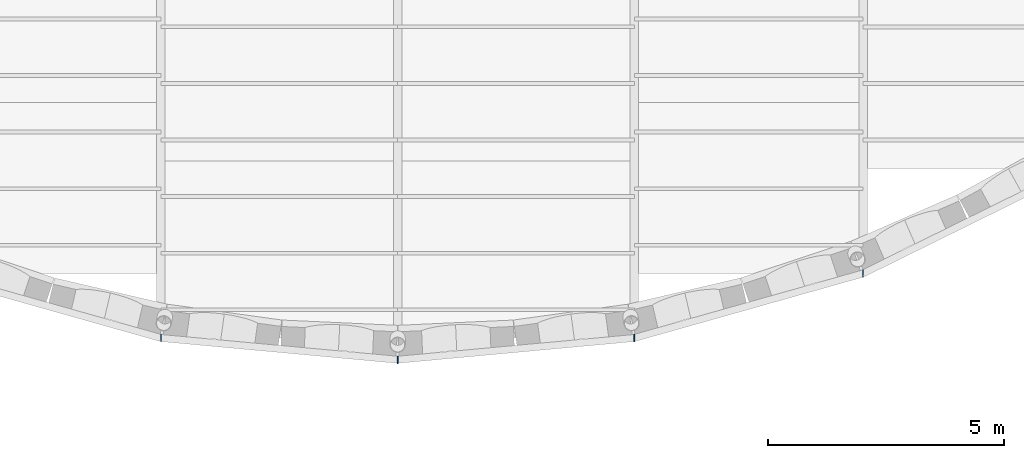
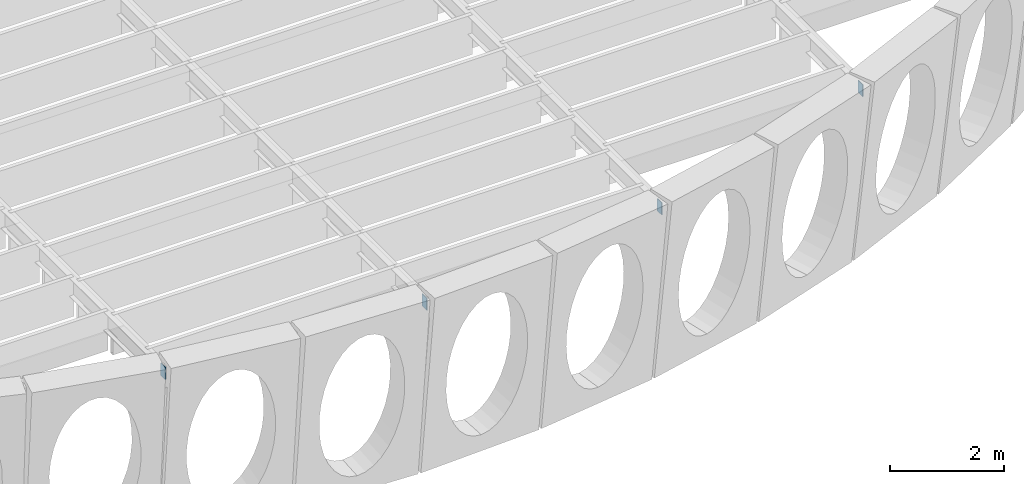
# One storey, part 22 of 47: 4 plates.
"""IFC4 building model written with IfcOpenShell, lengths in metres."""

from ifc_helpers import new_model, si_unit, direction, frame, origin, origin_2d, place, context, subcontext, project, spatial, rectangle, extrude, material, layer, layer_set, type_object, element, save


model = new_model("IFC4")

# Units and contexts
model_context = context("Model", 3, precision=1e-05, world=origin(), true_north=direction((0.0, 1.0)))
body_context = subcontext(model_context, "Body", "Model", "MODEL_VIEW")
ifc_project = project(units=[si_unit("LENGTHUNIT", "METRE"), si_unit("AREAUNIT", "SQUARE_METRE"), si_unit("VOLUMEUNIT", "CUBIC_METRE"), si_unit("PLANEANGLEUNIT", "RADIAN"), si_unit("MASSUNIT", "GRAM", prefix="KILO")], contexts=[model_context])

# Site, building, storey
site_placement = place(None, origin())
site = spatial("IfcSite", under=ifc_project, at=site_placement, CompositionType="ELEMENT")
building_placement = place(site_placement, origin())
building = spatial("IfcBuilding", under=site, at=building_placement, Name="Mawjan Specialist Oncology Clinic", CompositionType="ELEMENT")
storey_placement = place(building_placement, frame((0.0, 0.0, 9.5)))
storey = spatial("IfcBuildingStorey", under=building, at=storey_placement, Name="L02", CompositionType="ELEMENT", Elevation=9.5)

# Plates
ifc_material = material(Name="Structural steel S355", Category="steel")
ifc_layer = layer(ifc_material, 0.01611328125, Name="Structural steel S355", Category="steel")
ifc_layer_set = layer_set([ifc_layer], Name="Structural steel S355")
plate_type = type_object("IfcPlateType", Name="EC-16", PredefinedType="SHEET", material=ifc_layer_set)
for number, where, z_axis, x_axis, name in (
    (1, (78.981689453125, 1.923095703125, 3.64501953125), (0.0, 0.0, 1.0), (1.0, 0.0, 0.0), "HSS End-Cap Plate EC-005"),
    (2, (84.0, 1.4619140625, 3.64501953125), (0.0, 0.0, 1.0), (1.0, 0.0, 0.0), "HSS End-Cap Plate EC-006"),
    (3, (89.018310546875, 1.923095703125, 3.64501953125), (0.0, 0.0, 1.0), (1.0, 0.0, 0.0), "HSS End-Cap Plate EC-007"),
    (4, (93.868896484375, 3.291015625, 3.64501953125), (0.0, 0.0, 1.0), (1.0, 0.0, 0.0), "HSS End-Cap Plate EC-008"),
):
    element("IfcPlate", number, at=place(storey_placement, frame(where, z_axis=z_axis, x_axis=x_axis)), inside=storey, type_object=plate_type, Name=name, PredefinedType="SHEET", context=body_context, shape_type="SweptSolid", body=[
        extrude(rectangle(XDim=0.01611328125, YDim=0.159912109375, at=origin_2d()), origin(), (0.0, 0.0, 1.0), 0.260009765625),
    ])

save(model, "model.ifc")
